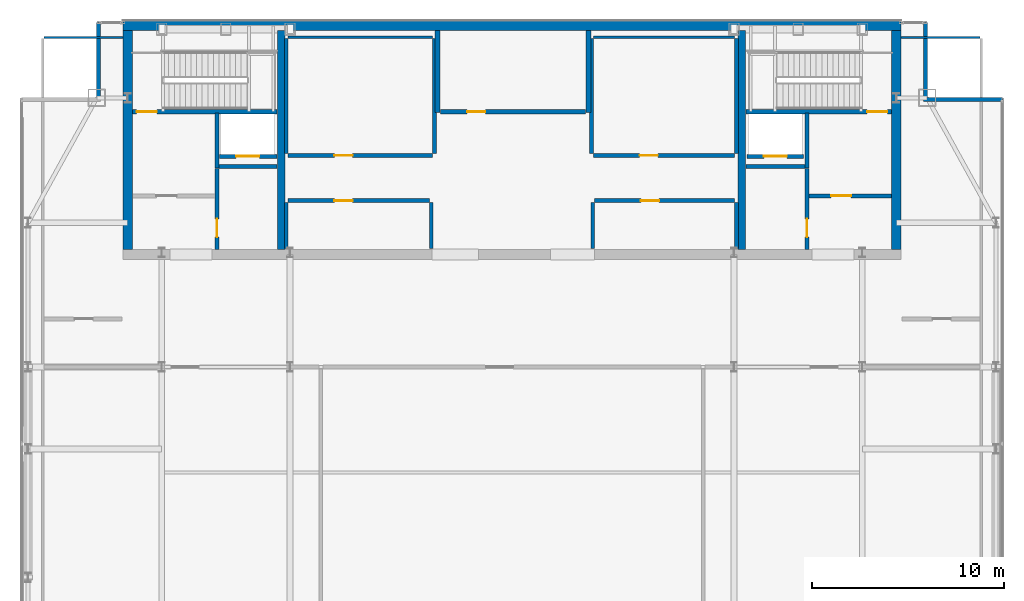
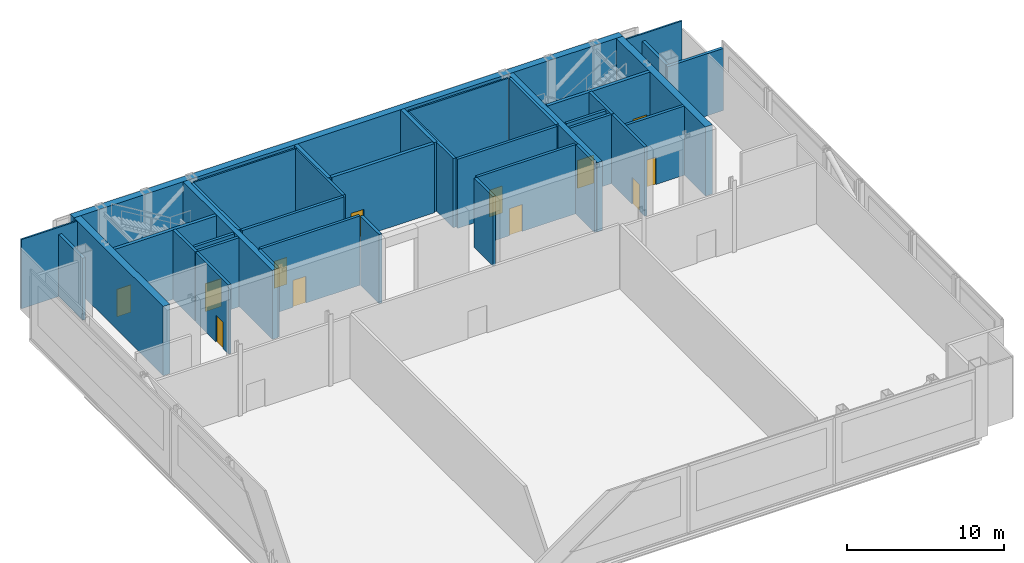
# One storey, part 19 of 22: 38 walls, 12 doors, 12 openings.
"""IFC4 building model written with IfcOpenShell, lengths in metres."""

from ifc_helpers import new_model, si_unit, direction, frame, frame_2d, origin, place, context, subcontext, project, spatial, rectangle, extrude, material, layer, layer_set, type_object, element, fill, save


model = new_model("IFC4")

# Units and contexts
model_context = context("Model", 3, precision=1e-05, world=origin(), true_north=direction((0.0, 1.0)))
body_context = subcontext(model_context, "Body", "Model", "MODEL_VIEW")
ifc_project = project(units=[si_unit("LENGTHUNIT", "METRE"), si_unit("AREAUNIT", "SQUARE_METRE"), si_unit("VOLUMEUNIT", "CUBIC_METRE"), si_unit("PLANEANGLEUNIT", "RADIAN"), si_unit("MASSUNIT", "GRAM", prefix="KILO")], contexts=[model_context])

# Site, building, storey
site_placement = place(None, origin())
site = spatial("IfcSite", under=ifc_project, at=site_placement, CompositionType="ELEMENT")
building_placement = place(site_placement, origin())
building = spatial("IfcBuilding", under=site, at=building_placement, Name="Khoronbel Lancet Exchange", CompositionType="ELEMENT")
storey_placement = place(building_placement, frame((0.0, 0.0, 367.39990234375)))
storey = spatial("IfcBuildingStorey", under=building, at=storey_placement, Name="L94", CompositionType="ELEMENT", Elevation=367.39990234375)

# Walls
ifc_material_1 = material(Name="Concrete C60/75", Category="concrete")
ifc_layer_1 = layer(ifc_material_1, 0.5, Name="Concrete C60/75")
ifc_layer_set_1 = layer_set([ifc_layer_1], Name="Concrete C60/75")
wall_type_1 = type_object("IfcWallType", Name="WL-CW4", PredefinedType="SHEAR", material=ifc_layer_set_1)
wall_1_placement = place(storey_placement, frame((16.199951171875, 53.449951171875, 0.0), z_axis=(0.0, 0.0, 1.0), x_axis=(1.0, 0.0, 0.0)))
element("IfcWall", 1, at=wall_1_placement, inside=storey, type_object=wall_type_1, Name="Level L94 rear core north shear wall", PredefinedType="SHEAR", context=body_context, shape_type="SweptSolid", body=[
    extrude(rectangle(XDim=40.5, YDim=0.5, at=frame_2d((20.25, 0.0))), origin(), (0.0, 0.0, 1.0), 5.400146484375),
])
for number, where, z_axis, x_axis, name in (
    (2, (16.449951171875, 41.800048828125, 0.0), (0.0, 0.0, 1.0), (0.0, 1.0, 0.0), "Level L94 rear core west shear wall"),
    (3, (56.449951171875, 53.199951171875, 0.0), (0.0, 0.0, 1.0), (0.0, -1.0, 0.0), "Level L94 rear core east shear wall"),
):
    element("IfcWall", number, at=place(storey_placement, frame(where, z_axis=z_axis, x_axis=x_axis)), inside=storey, type_object=wall_type_1, Name=name, PredefinedType="SHEAR", context=body_context, shape_type="SweptSolid", body=[
        extrude(rectangle(XDim=11.39990234375, YDim=0.5, at=frame_2d((5.699951171875, 0.0))), origin(), (0.0, 0.0, 1.0), 5.400146484375),
    ])
ifc_material_2 = material(Name="Precast concrete C40/50", Category="concrete")
ifc_layer_2 = layer(ifc_material_2, 0.25, Name="Precast concrete C40/50")
ifc_layer_set_2 = layer_set([ifc_layer_2], Name="Precast concrete C40/50")
wall_type_2 = type_object("IfcWallType", Name="WL-EXT250", PredefinedType="SOLIDWALL", material=ifc_layer_set_2)
for number, where, z_axis, x_axis, name in (
    (4, (14.93994140625, 49.719970703125, 0.0), (0.0, 0.0, 1.0), (0.0, 1.0, 0.0), "Level L94 notched-corner limestone pier 05"),
    (5, (57.9599609375, 53.6298828125, 0.0), (0.0, 0.0, 1.0), (0.0, -1.0, 0.0), "Level L94 notched-corner limestone pier 07"),
):
    element("IfcWall", number, at=place(storey_placement, frame(where, z_axis=z_axis, x_axis=x_axis)), inside=storey, type_object=wall_type_2, Name=name, PredefinedType="SOLIDWALL", context=body_context, shape_type="SweptSolid", body=[
        extrude(rectangle(XDim=3.909912109375, YDim=0.219970703125, at=frame_2d((1.955078125, 0.0))), origin(), (0.0, 0.0, 1.0), 4.840087890625),
    ])
wall_2_placement = place(storey_placement, frame((57.85009765625, 49.610107421875, 0.0), z_axis=(0.0, 0.0, 1.0), x_axis=(1.0, 0.0, 0.0)))
element("IfcWall", 6, at=wall_2_placement, inside=storey, type_object=wall_type_2, Name="Level L94 notched-corner limestone pier 08", PredefinedType="SOLIDWALL", context=body_context, shape_type="SweptSolid", body=[
    extrude(rectangle(XDim=4.1298828125, YDim=0.219970703125, at=frame_2d((2.06494140625, 0.0))), origin(), (0.0, 0.0, 1.0), 4.840087890625),
])
ifc_material_3 = material(Name="Acoustic Metal-Stud & Mineral-Wool Gypsum Partition 120 mm", Category="gypsum")
ifc_layer_3 = layer(ifc_material_3, 0.1201171875, Name="Acoustic Metal-Stud & Mineral-Wool Gypsum Partition 120 mm")
ifc_layer_set_3 = layer_set([ifc_layer_3], Name="Acoustic Metal-Stud & Mineral-Wool Gypsum Partition 120 mm")
wall_type_3 = type_object("IfcWallType", Name="WL-PRT120", PredefinedType="PARTITIONING", material=ifc_layer_set_3)
for number, where, z_axis, x_axis, name in (
    (7, (12.094970703125, 52.840087890625, 0.0), (0.0, 0.0, 1.0), (1.0, 0.0, 0.0), "Level L94 interior partition PW-LIN-NW"),
    (8, (56.699951171875, 52.840087890625, 0.0), (0.0, 0.0, 1.0), (1.0, 0.0, 0.0), "Level L94 interior partition PW-LIN-NE"),
):
    element("IfcWall", number, at=place(storey_placement, frame(where, z_axis=z_axis, x_axis=x_axis)), inside=storey, type_object=wall_type_3, Name=name, PredefinedType="PARTITIONING", context=body_context, shape_type="SweptSolid", body=[
        extrude(rectangle(XDim=4.10498046875, YDim=0.1201171875, at=frame_2d((2.052490234375, 0.0))), origin(), (0.0, 0.0, 1.0), 5.400146484375),
    ])
ifc_material_4 = material(Name="Fire-Rated Metal-Stud & Mineral-Wool Gypsum Partition 120 mm", Category="gypsum")
ifc_layer_4 = layer(ifc_material_4, 0.1201171875, Name="Fire-Rated Metal-Stud & Mineral-Wool Gypsum Partition 120 mm")
ifc_layer_set_4 = layer_set([ifc_layer_4], Name="Fire-Rated Metal-Stud & Mineral-Wool Gypsum Partition 120 mm")
wall_type_4 = type_object("IfcWallType", Name="WL-PRT120F", PredefinedType="PARTITIONING", material=ifc_layer_set_4)
wall_3_placement = place(storey_placement, frame((24.804931640625, 52.860107421875, 0.0), z_axis=(0.0, 0.0, 1.0), x_axis=(1.0, 0.0, 0.0)))
element("IfcWall", 9, at=wall_3_placement, inside=storey, type_object=wall_type_4, Name="Level L94 interior partition CW-PL-RN", PredefinedType="PARTITIONING", context=body_context, shape_type="SweptSolid", body=[
    extrude(rectangle(XDim=7.510009765625, YDim=0.1201171875, at=frame_2d((3.7548828125, 0.0))), origin(), (0.0, 0.0, 1.0), 5.400146484375),
])
wall_4_placement = place(storey_placement, frame((40.68505859375, 52.860107421875, 0.0), z_axis=(0.0, 0.0, 1.0), x_axis=(1.0, 0.0, 0.0)))
element("IfcWall", 10, at=wall_4_placement, inside=storey, type_object=wall_type_4, Name="Level L94 interior partition CW-PH-RN", PredefinedType="PARTITIONING", context=body_context, shape_type="SweptSolid", body=[
    extrude(rectangle(XDim=7.349853515625, YDim=0.1201171875, at=frame_2d((3.6748046875, 0.0))), origin(), (0.0, 0.0, 1.0), 5.400146484375),
])

# Wall, opening, door
ifc_material_5 = material(Name="Autoclaved Aerated Concrete Blockwork 200 mm", Category="masonry")
ifc_layer_5 = layer(ifc_material_5, 0.199951171875, Name="Autoclaved Aerated Concrete Blockwork 200 mm")
ifc_layer_set_5 = layer_set([ifc_layer_5], Name="Autoclaved Aerated Concrete Blockwork 200 mm")
wall_type_5 = type_object("IfcWallType", Name="WL-PRT200", PredefinedType="PARTITIONING", material=ifc_layer_set_5)
wall_5_placement = place(storey_placement, frame((51.610107421875, 46.64990234375, 0.0), z_axis=(0.0, 0.0, 1.0), x_axis=(-1.0, 0.0, 0.0)))
wall_5 = element("IfcWall", 11, at=wall_5_placement, inside=storey, type_object=wall_type_5, Name="Level L94 elevator hoistway landing front wall FFLE", PredefinedType="PARTITIONING", context=body_context, shape_type="SweptSolid", body=[
    extrude(rectangle(XDim=2.920166015625, YDim=0.199951171875, at=frame_2d((1.4599609375, 0.0))), origin(), (0.0, 0.0, 1.0), 5.400146484375),
])
opening_1_placement = place(wall_5_placement, frame((0.860107421875, 0.0, 0.0)))
opening_1 = element("IfcOpeningElement", 12, at=opening_1_placement, cuts=wall_5, Name="Opening LD-FFL2", PredefinedType="OPENING", context=body_context, shape_type="SweptSolid", body=[
    extrude(rectangle(XDim=1.199951171875, YDim=2.179931640625, at=frame_2d((0.60009765625, 1.08984375))), frame((0.0, 0.10986328125, 0.0), z_axis=(0.0, -1.0, 0.0), x_axis=(1.0, 0.0, 0.0)), (0.0, 0.0, 1.0), 0.219970703125),
])
ifc_material_6 = material(Name="Fire-Rated Stainless Bi-Parting Firefighting Lift Door", Category="steel")
door_type_1 = type_object("IfcDoorType", Name="DR-LD-FFL", OperationType="NOTDEFINED", PredefinedType="DOOR", material=ifc_material_6)
door_1_placement = place(opening_1_placement, origin())
door_1 = element("IfcDoor", 13, at=door_1_placement, inside=storey, type_object=door_type_1, Name="Elevator landing sliding door LD-FFL2 L94", OperationType="SLIDING_TO_LEFT", OverallHeight=2.179931640625, OverallWidth=1.199951171875, PredefinedType="DOOR", context=body_context, shape_type="SweptSolid", body=[
    extrude(rectangle(XDim=1.199951171875, YDim=2.179931640625, at=frame_2d((0.60009765625, 1.08984375))), frame((0.0, 0.02490234375, 0.0), z_axis=(0.0, -1.0, 0.0), x_axis=(1.0, 0.0, 0.0)), (0.0, 0.0, 1.0), 0.050048828125),
])
fill(opening_1, door_1)

wall_6_placement = place(storey_placement, frame((24.2099609375, 46.64990234375, 0.0), z_axis=(0.0, 0.0, 1.0), x_axis=(-1.0, 0.0, 0.0)))
wall_6 = element("IfcWall", 14, at=wall_6_placement, inside=storey, type_object=wall_type_5, Name="Level L94 elevator hoistway landing front wall FFLW", PredefinedType="PARTITIONING", context=body_context, shape_type="SweptSolid", body=[
    extrude(rectangle(XDim=2.969970703125, YDim=0.199951171875, at=frame_2d((1.48486328125, 0.0))), origin(), (0.0, 0.0, 1.0), 5.400146484375),
])
opening_2_placement = place(wall_6_placement, frame((0.909912109375, 0.0, 0.0)))
opening_2 = element("IfcOpeningElement", 15, at=opening_2_placement, cuts=wall_6, Name="Opening LD-FFL1", PredefinedType="OPENING", context=body_context, shape_type="SweptSolid", body=[
    extrude(rectangle(XDim=1.199951171875, YDim=2.179931640625, at=frame_2d((0.60009765625, 1.08984375))), frame((0.0, 0.10986328125, 0.0), z_axis=(0.0, -1.0, 0.0), x_axis=(1.0, 0.0, 0.0)), (0.0, 0.0, 1.0), 0.219970703125),
])
door_2_placement = place(opening_2_placement, origin())
door_2 = element("IfcDoor", 16, at=door_2_placement, inside=storey, type_object=door_type_1, Name="Elevator landing sliding door LD-FFL1 L94", OperationType="SLIDING_TO_LEFT", OverallHeight=2.179931640625, OverallWidth=1.199951171875, PredefinedType="DOOR", context=body_context, shape_type="SweptSolid", body=[
    extrude(rectangle(XDim=1.199951171875, YDim=2.179931640625, at=frame_2d((0.60009765625, 1.08984375))), frame((0.0, 0.02490234375, 0.0), z_axis=(0.0, -1.0, 0.0), x_axis=(1.0, 0.0, 0.0)), (0.0, 0.0, 1.0), 0.050048828125),
])
fill(opening_2, door_2)

# Walls
wall_7_placement = place(storey_placement, frame((21.10009765625, 46.050048828125, 0.0), z_axis=(0.0, 0.0, 1.0), x_axis=(0.0, 1.0, 0.0)))
element("IfcWall", 17, at=wall_7_placement, inside=storey, type_object=wall_type_5, Name="Level L94 interior partition CW-FFLW-E", PredefinedType="PARTITIONING", context=body_context, shape_type="SweptSolid", body=[
    extrude(rectangle(XDim=2.849853515625, YDim=0.199951171875, at=frame_2d((1.4248046875, 0.0))), origin(), (0.0, 0.0, 1.0), 5.400146484375),
])
wall_8_placement = place(storey_placement, frame((21.199951171875, 46.1201171875, 0.0), z_axis=(0.0, 0.0, 1.0), x_axis=(1.0, 0.0, 0.0)))
element("IfcWall", 18, at=wall_8_placement, inside=storey, type_object=wall_type_5, Name="Level L94 interior partition CW-FFL1-S", PredefinedType="PARTITIONING", context=body_context, shape_type="SweptSolid", body=[
    extrude(rectangle(XDim=3.02001953125, YDim=0.199951171875, at=frame_2d((1.510009765625, 0.0))), origin(), (0.0, 0.0, 1.0), 5.400146484375),
])

# Wall, opening, door
wall_9_placement = place(storey_placement, frame((21.10009765625, 41.800048828125, 0.0), z_axis=(0.0, 0.0, 1.0), x_axis=(0.0, 1.0, 0.0)))
wall_9 = element("IfcWall", 19, at=wall_9_placement, inside=storey, type_object=wall_type_5, Name="Level L94 interior partition CW-SVL1-REC", PredefinedType="PARTITIONING", context=body_context, shape_type="SweptSolid", body=[
    extrude(rectangle(XDim=4.21484375, YDim=0.199951171875, at=frame_2d((2.107421875, 0.0))), origin(), (0.0, 0.0, 1.0), 5.400146484375),
])
opening_3_placement = place(wall_9_placement, frame((0.64990234375, 0.0, 0.0)))
opening_3 = element("IfcOpeningElement", 20, at=opening_3_placement, cuts=wall_9, Name="Opening FD3", PredefinedType="OPENING", context=body_context, shape_type="SweptSolid", body=[
    extrude(rectangle(XDim=0.949951171875, YDim=2.10009765625, at=frame_2d((0.47509765625, 1.050048828125))), frame((0.0, 0.10986328125, 0.0), z_axis=(0.0, -1.0, 0.0), x_axis=(1.0, 0.0, 0.0)), (0.0, 0.0, 1.0), 0.219970703125),
])
ifc_material_7 = material(Name="Fire-Rated Steel Plant & Riser Door Assembly", Category="steel")
door_type_2 = type_object("IfcDoorType", Name="DR-FD3", OperationType="NOTDEFINED", PredefinedType="DOOR", material=ifc_material_7)
door_3_placement = place(opening_3_placement, origin())
door_3 = element("IfcDoor", 21, at=door_3_placement, inside=storey, type_object=door_type_2, Name="Crown telecoms plant door L94-1", OperationType="SINGLE_SWING_RIGHT", OverallHeight=2.10009765625, OverallWidth=0.949951171875, PredefinedType="DOOR", context=body_context, shape_type="SweptSolid", body=[
    extrude(rectangle(XDim=0.949951171875, YDim=2.10009765625, at=frame_2d((0.47509765625, 1.050048828125))), frame((0.0, 0.02490234375, 0.0), z_axis=(0.0, -1.0, 0.0), x_axis=(1.0, 0.0, 0.0)), (0.0, 0.0, 1.0), 0.050048828125),
])
fill(opening_3, door_3)

# Wall
wall_10_placement = place(storey_placement, frame((51.800048828125, 46.050048828125, 0.0), z_axis=(0.0, 0.0, 1.0), x_axis=(0.0, 1.0, 0.0)))
element("IfcWall", 22, at=wall_10_placement, inside=storey, type_object=wall_type_5, Name="Level L94 interior partition CW-FFLE-W", PredefinedType="PARTITIONING", context=body_context, shape_type="SweptSolid", body=[
    extrude(rectangle(XDim=2.849853515625, YDim=0.199951171875, at=frame_2d((1.4248046875, 0.0))), origin(), (0.0, 0.0, 1.0), 5.400146484375),
])

# Wall, opening, door
wall_11_placement = place(storey_placement, frame((51.89990234375, 44.60009765625, 0.0), z_axis=(0.0, 0.0, 1.0), x_axis=(1.0, 0.0, 0.0)))
wall_11 = element("IfcWall", 23, at=wall_11_placement, inside=storey, type_object=wall_type_5, Name="Level L94 interior partition CW-FFLE-S", PredefinedType="PARTITIONING", context=body_context, shape_type="SweptSolid", body=[
    extrude(rectangle(XDim=4.300048828125, YDim=0.199951171875, at=frame_2d((2.14990234375, 0.0))), origin(), (0.0, 0.0, 1.0), 5.400146484375),
])
opening_4_placement = place(wall_11_placement, frame((1.14990234375, 0.0, 0.0)))
opening_4 = element("IfcOpeningElement", 24, at=opening_4_placement, cuts=wall_11, Name="Opening FD1", PredefinedType="OPENING", context=body_context, shape_type="SweptSolid", body=[
    extrude(rectangle(XDim=1.050048828125, YDim=2.14990234375, at=frame_2d((0.52490234375, 1.074951171875))), frame((0.0, 0.10986328125, 0.0), z_axis=(0.0, -1.0, 0.0), x_axis=(1.0, 0.0, 0.0)), (0.0, 0.0, 1.0), 0.219970703125),
])
ifc_material_8 = material(Name="Fire-Rated Painted Steel Door Assembly", Category="steel")
door_type_3 = type_object("IfcDoorType", Name="DR-FD1", OperationType="NOTDEFINED", PredefinedType="DOOR", material=ifc_material_8)
door_4_placement = place(opening_4_placement, origin())
door_4 = element("IfcDoor", 25, at=door_4_placement, inside=storey, type_object=door_type_3, Name="East firefighting lobby FD90S door L94-1", OperationType="SINGLE_SWING_LEFT", OverallHeight=2.14990234375, OverallWidth=1.050048828125, PredefinedType="DOOR", context=body_context, shape_type="SweptSolid", body=[
    extrude(rectangle(XDim=1.050048828125, YDim=2.14990234375, at=frame_2d((0.52490234375, 1.074951171875))), frame((0.0, 0.02490234375, 0.0), z_axis=(0.0, -1.0, 0.0), x_axis=(1.0, 0.0, 0.0)), (0.0, 0.0, 1.0), 0.050048828125),
])
fill(opening_4, door_4)

# Wall
wall_12_placement = place(storey_placement, frame((48.6298828125, 46.1201171875, 0.0), z_axis=(0.0, 0.0, 1.0), x_axis=(1.0, 0.0, 0.0)))
element("IfcWall", 26, at=wall_12_placement, inside=storey, type_object=wall_type_5, Name="Level L94 interior partition CW-FFL2-S", PredefinedType="PARTITIONING", context=body_context, shape_type="SweptSolid", body=[
    extrude(rectangle(XDim=3.070068359375, YDim=0.199951171875, at=frame_2d((1.53515625, 0.0))), origin(), (0.0, 0.0, 1.0), 5.400146484375),
])

# Wall, opening, door
wall_13_placement = place(storey_placement, frame((51.800048828125, 41.800048828125, 0.0), z_axis=(0.0, 0.0, 1.0), x_axis=(0.0, 1.0, 0.0)))
wall_13 = element("IfcWall", 27, at=wall_13_placement, inside=storey, type_object=wall_type_5, Name="Level L94 interior partition CW-SVL2-REC", PredefinedType="PARTITIONING", context=body_context, shape_type="SweptSolid", body=[
    extrude(rectangle(XDim=4.21484375, YDim=0.199951171875, at=frame_2d((2.107421875, 0.0))), origin(), (0.0, 0.0, 1.0), 5.400146484375),
])
opening_5_placement = place(wall_13_placement, frame((0.64990234375, 0.0, 0.0)))
opening_5 = element("IfcOpeningElement", 28, at=opening_5_placement, cuts=wall_13, Name="Opening FD3", PredefinedType="OPENING", context=body_context, shape_type="SweptSolid", body=[
    extrude(rectangle(XDim=0.949951171875, YDim=2.10009765625, at=frame_2d((0.47509765625, 1.050048828125))), frame((0.0, 0.10986328125, 0.0), z_axis=(0.0, -1.0, 0.0), x_axis=(1.0, 0.0, 0.0)), (0.0, 0.0, 1.0), 0.219970703125),
])
door_5_placement = place(opening_5_placement, origin())
door_5 = element("IfcDoor", 29, at=door_5_placement, inside=storey, type_object=door_type_2, Name="Crown hydraulics plant door L94-1", OperationType="SINGLE_SWING_RIGHT", OverallHeight=2.10009765625, OverallWidth=0.949951171875, PredefinedType="DOOR", context=body_context, shape_type="SweptSolid", body=[
    extrude(rectangle(XDim=0.949951171875, YDim=2.10009765625, at=frame_2d((0.47509765625, 1.050048828125))), frame((0.0, 0.02490234375, 0.0), z_axis=(0.0, -1.0, 0.0), x_axis=(1.0, 0.0, 0.0)), (0.0, 0.0, 1.0), 0.050048828125),
])
fill(opening_5, door_5)

# Walls
for number, where, z_axis, x_axis, name in (
    (30, (24.699951171875, 46.804931640625, 0.0), (0.0, 0.0, 1.0), (0.0, 1.0, 0.0), "Level L94 interior partition CW-PL-RW"),
    (31, (32.419921875, 46.804931640625, 0.0), (0.0, 0.0, 1.0), (0.0, 1.0, 0.0), "Level L94 interior partition CW-PL-RE"),
):
    element("IfcWall", number, at=place(storey_placement, frame(where, z_axis=z_axis, x_axis=x_axis)), inside=storey, type_object=wall_type_5, Name=name, PredefinedType="PARTITIONING", context=body_context, shape_type="SweptSolid", body=[
        extrude(rectangle(XDim=5.989990234375, YDim=0.199951171875, at=frame_2d((2.9951171875, 0.0))), origin(), (0.0, 0.0, 1.0), 5.400146484375),
    ])

# Wall, opening, door
wall_14_placement = place(storey_placement, frame((24.804931640625, 46.699951171875, 0.0), z_axis=(0.0, 0.0, 1.0), x_axis=(1.0, 0.0, 0.0)))
wall_14 = element("IfcWall", 32, at=wall_14_placement, inside=storey, type_object=wall_type_5, Name="Level L94 interior partition CW-PL-RF", PredefinedType="PARTITIONING", context=body_context, shape_type="SweptSolid", body=[
    extrude(rectangle(XDim=7.510009765625, YDim=0.199951171875, at=frame_2d((3.7548828125, 0.0))), origin(), (0.0, 0.0, 1.0), 5.400146484375),
])
opening_6_placement = place(wall_14_placement, frame((2.39990234375, 0.0, 0.0)))
opening_6 = element("IfcOpeningElement", 33, at=opening_6_placement, cuts=wall_14, Name="Opening FD3", PredefinedType="OPENING", context=body_context, shape_type="SweptSolid", body=[
    extrude(rectangle(XDim=0.949951171875, YDim=2.10009765625, at=frame_2d((0.47509765625, 1.050048828125))), frame((0.0, 0.10986328125, 0.0), z_axis=(0.0, -1.0, 0.0), x_axis=(1.0, 0.0, 0.0)), (0.0, 0.0, 1.0), 0.219970703125),
])
door_6_placement = place(opening_6_placement, origin())
door_6 = element("IfcDoor", 34, at=door_6_placement, inside=storey, type_object=door_type_2, Name="Reclaimed PL room door L94-1", OperationType="SINGLE_SWING_LEFT", OverallHeight=2.10009765625, OverallWidth=0.949951171875, PredefinedType="DOOR", context=body_context, shape_type="SweptSolid", body=[
    extrude(rectangle(XDim=0.949951171875, YDim=2.10009765625, at=frame_2d((0.47509765625, 1.050048828125))), frame((0.0, 0.02490234375, 0.0), z_axis=(0.0, -1.0, 0.0), x_axis=(1.0, 0.0, 0.0)), (0.0, 0.0, 1.0), 0.050048828125),
])
fill(opening_6, door_6)

# Walls
for number, where, z_axis, x_axis, name in (
    (35, (24.699951171875, 41.85009765625, 0.0), (0.0, 0.0, 1.0), (0.0, 1.0, 0.0), "Level L94 interior partition CW-PM-RW"),
    (36, (32.25, 41.85009765625, 0.0), (0.0, 0.0, 1.0), (0.0, 1.0, 0.0), "Level L94 interior partition CW-PM-RE"),
):
    element("IfcWall", number, at=place(storey_placement, frame(where, z_axis=z_axis, x_axis=x_axis)), inside=storey, type_object=wall_type_5, Name=name, PredefinedType="PARTITIONING", context=body_context, shape_type="SweptSolid", body=[
        extrude(rectangle(XDim=2.39501953125, YDim=0.199951171875, at=frame_2d((1.197509765625, 0.0))), origin(), (0.0, 0.0, 1.0), 5.400146484375),
    ])

# Wall, opening, door
wall_15_placement = place(storey_placement, frame((24.804931640625, 44.35009765625, 0.0), z_axis=(0.0, 0.0, 1.0), x_axis=(1.0, 0.0, 0.0)))
wall_15 = element("IfcWall", 37, at=wall_15_placement, inside=storey, type_object=wall_type_5, Name="Level L94 interior partition CW-PM-RF", PredefinedType="PARTITIONING", context=body_context, shape_type="SweptSolid", body=[
    extrude(rectangle(XDim=7.340087890625, YDim=0.199951171875, at=frame_2d((3.669921875, 0.0))), origin(), (0.0, 0.0, 1.0), 5.400146484375),
])
opening_7_placement = place(wall_15_placement, frame((2.39990234375, 0.0, 0.0)))
opening_7 = element("IfcOpeningElement", 38, at=opening_7_placement, cuts=wall_15, Name="Opening FD3", PredefinedType="OPENING", context=body_context, shape_type="SweptSolid", body=[
    extrude(rectangle(XDim=0.949951171875, YDim=2.10009765625, at=frame_2d((0.47509765625, 1.050048828125))), frame((0.0, 0.10986328125, 0.0), z_axis=(0.0, -1.0, 0.0), x_axis=(1.0, 0.0, 0.0)), (0.0, 0.0, 1.0), 0.219970703125),
])
door_7_placement = place(opening_7_placement, origin())
door_7 = element("IfcDoor", 39, at=door_7_placement, inside=storey, type_object=door_type_2, Name="Reclaimed PM room door L94-1", OperationType="SINGLE_SWING_RIGHT", OverallHeight=2.10009765625, OverallWidth=0.949951171875, PredefinedType="DOOR", context=body_context, shape_type="SweptSolid", body=[
    extrude(rectangle(XDim=0.949951171875, YDim=2.10009765625, at=frame_2d((0.47509765625, 1.050048828125))), frame((0.0, 0.02490234375, 0.0), z_axis=(0.0, -1.0, 0.0), x_axis=(1.0, 0.0, 0.0)), (0.0, 0.0, 1.0), 0.050048828125),
])
fill(opening_7, door_7)

# Walls
for number, where, z_axis, x_axis, name in (
    (40, (40.580078125, 46.804931640625, 0.0), (0.0, 0.0, 1.0), (0.0, 1.0, 0.0), "Level L94 interior partition CW-PH-RW"),
    (41, (48.139892578125, 46.804931640625, 0.0), (0.0, 0.0, 1.0), (0.0, 1.0, 0.0), "Level L94 interior partition CW-PH-RE"),
):
    element("IfcWall", number, at=place(storey_placement, frame(where, z_axis=z_axis, x_axis=x_axis)), inside=storey, type_object=wall_type_5, Name=name, PredefinedType="PARTITIONING", context=body_context, shape_type="SweptSolid", body=[
        extrude(rectangle(XDim=5.989990234375, YDim=0.199951171875, at=frame_2d((2.9951171875, 0.0))), origin(), (0.0, 0.0, 1.0), 5.400146484375),
    ])

# Wall, opening, door
wall_16_placement = place(storey_placement, frame((40.68505859375, 46.699951171875, 0.0), z_axis=(0.0, 0.0, 1.0), x_axis=(1.0, 0.0, 0.0)))
wall_16 = element("IfcWall", 42, at=wall_16_placement, inside=storey, type_object=wall_type_5, Name="Level L94 interior partition CW-PH-RF", PredefinedType="PARTITIONING", context=body_context, shape_type="SweptSolid", body=[
    extrude(rectangle(XDim=7.349853515625, YDim=0.199951171875, at=frame_2d((3.6748046875, 0.0))), origin(), (0.0, 0.0, 1.0), 5.400146484375),
])
opening_8_placement = place(wall_16_placement, frame((2.39990234375, 0.0, 0.0)))
opening_8 = element("IfcOpeningElement", 43, at=opening_8_placement, cuts=wall_16, Name="Opening FD3", PredefinedType="OPENING", context=body_context, shape_type="SweptSolid", body=[
    extrude(rectangle(XDim=0.949951171875, YDim=2.10009765625, at=frame_2d((0.47509765625, 1.050048828125))), frame((0.0, 0.10986328125, 0.0), z_axis=(0.0, -1.0, 0.0), x_axis=(1.0, 0.0, 0.0)), (0.0, 0.0, 1.0), 0.219970703125),
])
door_8_placement = place(opening_8_placement, origin())
door_8 = element("IfcDoor", 44, at=door_8_placement, inside=storey, type_object=door_type_2, Name="Reclaimed PH room door L94-1", OperationType="SINGLE_SWING_LEFT", OverallHeight=2.10009765625, OverallWidth=0.949951171875, PredefinedType="DOOR", context=body_context, shape_type="SweptSolid", body=[
    extrude(rectangle(XDim=0.949951171875, YDim=2.10009765625, at=frame_2d((0.47509765625, 1.050048828125))), frame((0.0, 0.02490234375, 0.0), z_axis=(0.0, -1.0, 0.0), x_axis=(1.0, 0.0, 0.0)), (0.0, 0.0, 1.0), 0.050048828125),
])
fill(opening_8, door_8)

# Walls
for number, where, z_axis, x_axis, name in (
    (45, (40.64990234375, 41.85009765625, 0.0), (0.0, 0.0, 1.0), (0.0, 1.0, 0.0), "Level L94 interior partition CW-PX-RW"),
    (46, (48.139892578125, 41.85009765625, 0.0), (0.0, 0.0, 1.0), (0.0, 1.0, 0.0), "Level L94 interior partition CW-PX-RE"),
):
    element("IfcWall", number, at=place(storey_placement, frame(where, z_axis=z_axis, x_axis=x_axis)), inside=storey, type_object=wall_type_5, Name=name, PredefinedType="PARTITIONING", context=body_context, shape_type="SweptSolid", body=[
        extrude(rectangle(XDim=2.39501953125, YDim=0.199951171875, at=frame_2d((1.197509765625, 0.0))), origin(), (0.0, 0.0, 1.0), 5.400146484375),
    ])

# Wall, opening, door
wall_17_placement = place(storey_placement, frame((40.7548828125, 44.35009765625, 0.0), z_axis=(0.0, 0.0, 1.0), x_axis=(1.0, 0.0, 0.0)))
wall_17 = element("IfcWall", 47, at=wall_17_placement, inside=storey, type_object=wall_type_5, Name="Level L94 interior partition CW-PX-RF", PredefinedType="PARTITIONING", context=body_context, shape_type="SweptSolid", body=[
    extrude(rectangle(XDim=7.280029296875, YDim=0.199951171875, at=frame_2d((3.64013671875, 0.0))), origin(), (0.0, 0.0, 1.0), 5.400146484375),
])
opening_9_placement = place(wall_17_placement, frame((2.39990234375, 0.0, 0.0)))
opening_9 = element("IfcOpeningElement", 48, at=opening_9_placement, cuts=wall_17, Name="Opening FD3", PredefinedType="OPENING", context=body_context, shape_type="SweptSolid", body=[
    extrude(rectangle(XDim=0.949951171875, YDim=2.10009765625, at=frame_2d((0.47509765625, 1.050048828125))), frame((0.0, 0.10986328125, 0.0), z_axis=(0.0, -1.0, 0.0), x_axis=(1.0, 0.0, 0.0)), (0.0, 0.0, 1.0), 0.219970703125),
])
door_9_placement = place(opening_9_placement, origin())
door_9 = element("IfcDoor", 49, at=door_9_placement, inside=storey, type_object=door_type_2, Name="Reclaimed PX room door L94-1", OperationType="SINGLE_SWING_RIGHT", OverallHeight=2.10009765625, OverallWidth=0.949951171875, PredefinedType="DOOR", context=body_context, shape_type="SweptSolid", body=[
    extrude(rectangle(XDim=0.949951171875, YDim=2.10009765625, at=frame_2d((0.47509765625, 1.050048828125))), frame((0.0, 0.02490234375, 0.0), z_axis=(0.0, -1.0, 0.0), x_axis=(1.0, 0.0, 0.0)), (0.0, 0.0, 1.0), 0.050048828125),
])
fill(opening_9, door_9)

# Walls
ifc_layer_6 = layer(ifc_material_1, 0.39990234375, Name="Concrete C60/75")
ifc_layer_set_6 = layer_set([ifc_layer_6], Name="Concrete C60/75")
wall_type_6 = type_object("IfcWallType", Name="WL-SW2", PredefinedType="SHEAR", material=ifc_layer_set_6)
for number, where, z_axis, x_axis, name in (
    (50, (24.449951171875, 41.800048828125, 0.0), (0.0, 0.0, 1.0), (0.0, 1.0, 0.0), "Level L94 rear core internal spine shear wall IW"),
    (51, (48.39990234375, 41.800048828125, 0.0), (0.0, 0.0, 1.0), (0.0, 1.0, 0.0), "Level L94 rear core internal spine shear wall IE"),
):
    element("IfcWall", number, at=place(storey_placement, frame(where, z_axis=z_axis, x_axis=x_axis)), inside=storey, type_object=wall_type_6, Name=name, PredefinedType="SHEAR", context=body_context, shape_type="SweptSolid", body=[
        extrude(rectangle(XDim=11.39990234375, YDim=0.39990234375, at=frame_2d((5.699951171875, 0.0))), origin(), (0.0, 0.0, 1.0), 5.400146484375),
    ])
ifc_layer_7 = layer(ifc_material_1, 0.260009765625, Name="Concrete C60/75")
ifc_layer_set_7 = layer_set([ifc_layer_7], Name="Concrete C60/75")
wall_type_7 = type_object("IfcWallType", Name="WL-SW3", PredefinedType="SHEAR", material=ifc_layer_set_7)
for number, where, z_axis, x_axis, name in (
    (52, (32.580078125, 48.949951171875, 0.0), (0.0, 0.0, 1.0), (0.0, 1.0, 0.0), "Level L94 central stairwell structural shear wall ST3W"),
    (53, (40.419921875, 48.949951171875, 0.0), (0.0, 0.0, 1.0), (0.0, 1.0, 0.0), "Level L94 central stairwell structural shear wall ST3E"),
):
    element("IfcWall", number, at=place(storey_placement, frame(where, z_axis=z_axis, x_axis=x_axis)), inside=storey, type_object=wall_type_7, Name=name, PredefinedType="SHEAR", context=body_context, shape_type="SweptSolid", body=[
        extrude(rectangle(XDim=4.25, YDim=0.260009765625, at=frame_2d((2.125, 0.0))), origin(), (0.0, 0.0, 1.0), 5.400146484375),
    ])

# Wall, opening, door
wall_18_placement = place(storey_placement, frame((16.699951171875, 48.97998046875, 0.0), z_axis=(0.0, 0.0, 1.0), x_axis=(1.0, 0.0, 0.0)))
wall_18 = element("IfcWall", 54, at=wall_18_placement, inside=storey, type_object=wall_type_7, Name="Level L94 west stairwell structural south wall", PredefinedType="SHEAR", context=body_context, shape_type="SweptSolid", body=[
    extrude(rectangle(XDim=7.52001953125, YDim=0.239990234375, at=frame_2d((3.760009765625, 0.0))), origin(), (0.0, 0.0, 1.0), 5.400146484375),
])
opening_10_placement = place(wall_18_placement, frame((0.219970703125, 0.0, 0.0)))
opening_10 = element("IfcOpeningElement", 55, at=opening_10_placement, cuts=wall_18, Name="Opening SD1", PredefinedType="OPENING", context=body_context, shape_type="SweptSolid", body=[
    extrude(rectangle(XDim=1.050048828125, YDim=2.14990234375, at=frame_2d((0.52490234375, 1.074951171875))), frame((0.0, 0.1298828125, 0.0), z_axis=(0.0, -1.0, 0.0), x_axis=(1.0, 0.0, 0.0)), (0.0, 0.0, 1.0), 0.260009765625),
])
ifc_material_9 = material(Name="Fire-Rated Steel Stairwell Door Assembly", Category="steel")
door_type_4 = type_object("IfcDoorType", Name="DR-SD1", OperationType="NOTDEFINED", PredefinedType="DOOR", material=ifc_material_9)
door_10_placement = place(opening_10_placement, origin())
door_10 = element("IfcDoor", 56, at=door_10_placement, inside=storey, type_object=door_type_4, Name="Protected exit stair ST1 door L94", OperationType="SINGLE_SWING_LEFT", OverallHeight=2.14990234375, OverallWidth=1.050048828125, PredefinedType="DOOR", context=body_context, shape_type="SweptSolid", body=[
    extrude(rectangle(XDim=1.050048828125, YDim=2.14990234375, at=frame_2d((0.52490234375, 1.074951171875))), frame((0.0, 0.02490234375, 0.0), z_axis=(0.0, -1.0, 0.0), x_axis=(1.0, 0.0, 0.0)), (0.0, 0.0, 1.0), 0.050048828125),
])
fill(opening_10, door_10)

wall_19_placement = place(storey_placement, frame((48.6298828125, 48.97998046875, 0.0), z_axis=(0.0, 0.0, 1.0), x_axis=(1.0, 0.0, 0.0)))
wall_19 = element("IfcWall", 57, at=wall_19_placement, inside=storey, type_object=wall_type_7, Name="Level L94 east stairwell structural south wall", PredefinedType="SHEAR", context=body_context, shape_type="SweptSolid", body=[
    extrude(rectangle(XDim=7.570068359375, YDim=0.239990234375, at=frame_2d((3.78515625, 0.0))), origin(), (0.0, 0.0, 1.0), 5.400146484375),
])
opening_11_placement = place(wall_19_placement, frame((6.300048828125, 0.0, 0.0)))
opening_11 = element("IfcOpeningElement", 58, at=opening_11_placement, cuts=wall_19, Name="Opening SD1", PredefinedType="OPENING", context=body_context, shape_type="SweptSolid", body=[
    extrude(rectangle(XDim=1.050048828125, YDim=2.14990234375, at=frame_2d((0.52490234375, 1.074951171875))), frame((0.0, 0.1298828125, 0.0), z_axis=(0.0, -1.0, 0.0), x_axis=(1.0, 0.0, 0.0)), (0.0, 0.0, 1.0), 0.260009765625),
])
door_11_placement = place(opening_11_placement, origin())
door_11 = element("IfcDoor", 59, at=door_11_placement, inside=storey, type_object=door_type_4, Name="Protected exit stair ST2 door L94", OperationType="SINGLE_SWING_RIGHT", OverallHeight=2.14990234375, OverallWidth=1.050048828125, PredefinedType="DOOR", context=body_context, shape_type="SweptSolid", body=[
    extrude(rectangle(XDim=1.050048828125, YDim=2.14990234375, at=frame_2d((0.52490234375, 1.074951171875))), frame((0.0, 0.02490234375, 0.0), z_axis=(0.0, -1.0, 0.0), x_axis=(1.0, 0.0, 0.0)), (0.0, 0.0, 1.0), 0.050048828125),
])
fill(opening_11, door_11)

wall_20_placement = place(storey_placement, frame((32.719970703125, 48.97998046875, 0.0), z_axis=(0.0, 0.0, 1.0), x_axis=(1.0, 0.0, 0.0)))
wall_20 = element("IfcWall", 60, at=wall_20_placement, inside=storey, type_object=wall_type_7, Name="Level L94 central stairwell structural south wall", PredefinedType="SHEAR", context=body_context, shape_type="SweptSolid", body=[
    extrude(rectangle(XDim=7.56005859375, YDim=0.239990234375, at=frame_2d((3.780029296875, 0.0))), origin(), (0.0, 0.0, 1.0), 5.400146484375),
])
opening_12_placement = place(wall_20_placement, frame((1.39990234375, 0.0, 0.0)))
opening_12 = element("IfcOpeningElement", 61, at=opening_12_placement, cuts=wall_20, Name="Opening FD3", PredefinedType="OPENING", context=body_context, shape_type="SweptSolid", body=[
    extrude(rectangle(XDim=0.949951171875, YDim=2.10009765625, at=frame_2d((0.47509765625, 1.050048828125))), frame((0.0, 0.1298828125, 0.0), z_axis=(0.0, -1.0, 0.0), x_axis=(1.0, 0.0, 0.0)), (0.0, 0.0, 1.0), 0.260009765625),
])
door_12_placement = place(opening_12_placement, origin())
door_12 = element("IfcDoor", 62, at=door_12_placement, inside=storey, type_object=door_type_2, Name="Crown smoke extract plant door L94", OperationType="SINGLE_SWING_RIGHT", OverallHeight=2.10009765625, OverallWidth=0.949951171875, PredefinedType="DOOR", context=body_context, shape_type="SweptSolid", body=[
    extrude(rectangle(XDim=0.949951171875, YDim=2.10009765625, at=frame_2d((0.47509765625, 1.050048828125))), frame((0.0, 0.02490234375, 0.0), z_axis=(0.0, -1.0, 0.0), x_axis=(1.0, 0.0, 0.0)), (0.0, 0.0, 1.0), 0.050048828125),
])
fill(opening_12, door_12)

save(model, "model.ifc")
